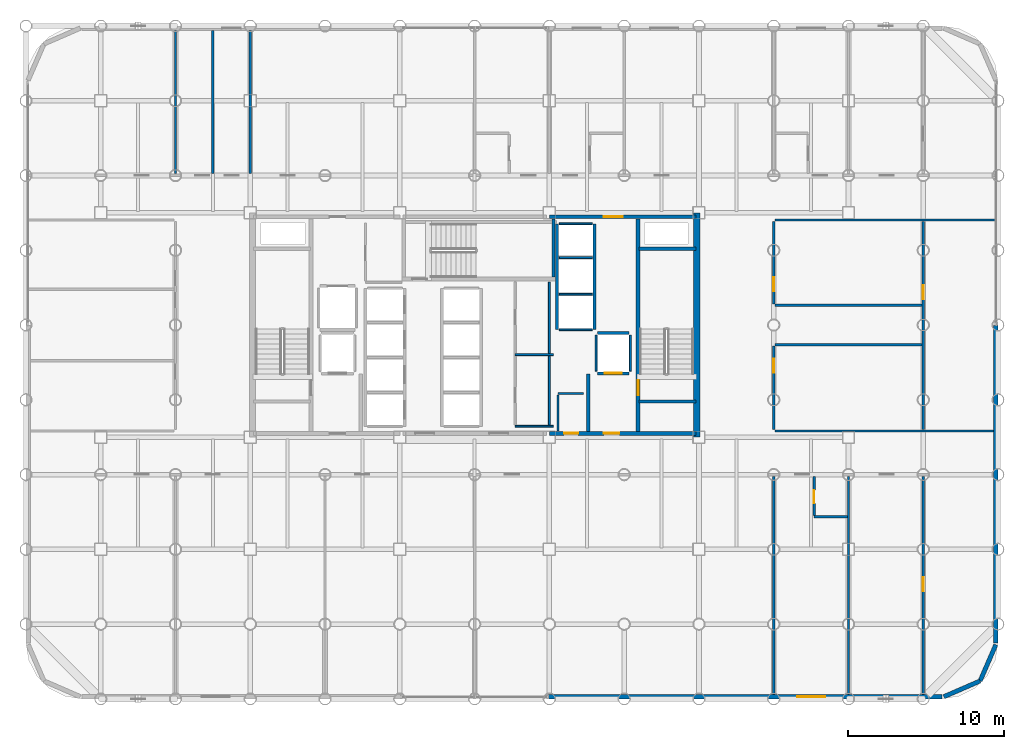
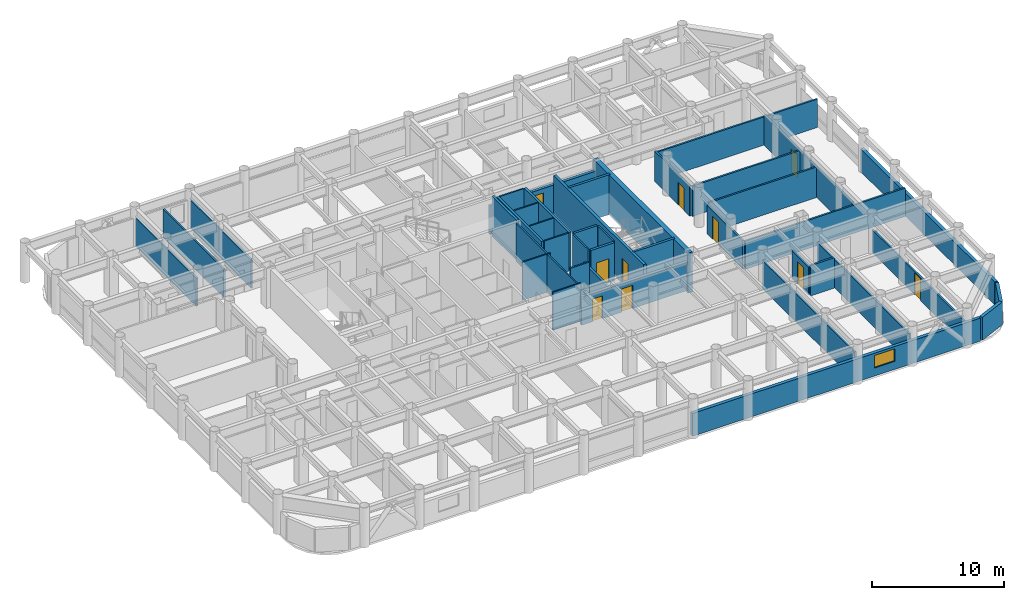
# One storey, part 16 of 19: 42 walls, 10 doors, 1 window, 11 openings.
"""IFC4 building model written with IfcOpenShell, lengths in metres."""

from ifc_helpers import new_model, si_unit, direction, frame, frame_2d, origin, place, context, subcontext, project, spatial, rectangle, extrude, material, layer, layer_set, type_object, element, fill, save


model = new_model("IFC4")

# Units and contexts
model_context = context("Model", 3, precision=1e-05, world=origin(), true_north=direction((0.0, 1.0)))
body_context = subcontext(model_context, "Body", "Model", "MODEL_VIEW")
ifc_project = project(units=[si_unit("LENGTHUNIT", "METRE"), si_unit("AREAUNIT", "SQUARE_METRE"), si_unit("VOLUMEUNIT", "CUBIC_METRE"), si_unit("PLANEANGLEUNIT", "RADIAN"), si_unit("MASSUNIT", "GRAM", prefix="KILO")], contexts=[model_context])

# Site, building, storey
site_placement = place(None, origin())
site = spatial("IfcSite", under=ifc_project, at=site_placement, CompositionType="ELEMENT")
building_placement = place(site_placement, origin())
building = spatial("IfcBuilding", under=site, at=building_placement, Name="Kallvorn Hotel Tower", CompositionType="ELEMENT")
storey_placement = place(building_placement, frame((0.0, 0.0, 67.0)))
storey = spatial("IfcBuildingStorey", under=building, at=storey_placement, Name="L15", CompositionType="ELEMENT", Elevation=67.0)

# Walls
ifc_material_1 = material(Name="Concrete C50/60", Category="concrete")
ifc_layer_1 = layer(ifc_material_1, 0.39990234375)
ifc_layer_set_1 = layer_set([ifc_layer_1], Name="WL_CORE_400")
wall_type_1 = type_object("IfcWallType", Name="WL_CORE_400", PredefinedType="SHEAR", material=ifc_layer_set_1)
wall_1_placement = place(storey_placement, frame((14.264892578125, -7.199951171875, -0.179931640625), z_axis=(0.0, 0.0, 1.0), x_axis=(0.0, 1.0, 0.0)))
element("IfcWall", 1, at=wall_1_placement, inside=storey, type_object=wall_type_1, Name="L15 Core East Shear Wall", PredefinedType="SHEAR", context=body_context, shape_type="SweptSolid", body=[
    extrude(rectangle(XDim=14.39990234375, YDim=0.39990234375, at=frame_2d((7.199951171875, 0.0))), origin(), (0.0, 0.0, 1.0), 3.699951171875),
])
ifc_material_2 = material(Name="Fire-rated double-layer acoustic gypsum drywall EI 60")
ifc_layer_2 = layer(ifc_material_2, 0.159912109375)
ifc_layer_set_2 = layer_set([ifc_layer_2], Name="WL_DEMISE_160")
wall_type_2 = type_object("IfcWallType", Name="WL_DEMISE_160", PredefinedType="PARTITIONING", material=ifc_layer_set_2)
wall_2_placement = place(storey_placement, frame((21.7900390625, -12.320068359375, 0.0), z_axis=(0.0, 0.0, 1.0), x_axis=(1.0, 0.0, 0.0)))
element("IfcWall", 2, at=wall_2_placement, inside=storey, type_object=wall_type_2, Name="L15 Suite 1501 Deluxe King Room Partition", PredefinedType="PARTITIONING", context=body_context, shape_type="SweptSolid", body=[
    extrude(rectangle(XDim=2.1298828125, YDim=0.159912109375, at=frame_2d((1.06494140625, 0.0))), origin(), (0.0, 0.0, 1.0), 2.820068359375),
])
wall_3_placement = place(storey_placement, frame((19.199951171875, -23.7099609375, 0.0), z_axis=(0.0, 0.0, 1.0), x_axis=(0.0, 1.0, 0.0)))
element("IfcWall", 3, at=wall_3_placement, inside=storey, type_object=wall_type_2, Name="L15 Suite 1501 Deluxe King Room Partition", PredefinedType="PARTITIONING", context=body_context, shape_type="SweptSolid", body=[
    extrude(rectangle(XDim=13.989990234375, YDim=0.159912109375, at=frame_2d((6.9951171875, 0.0))), origin(), (0.0, 0.0, 1.0), 2.6201171875),
])

# Wall, opening, door
wall_4_placement = place(storey_placement, frame((21.7900390625, -12.235107421875, 0.0), z_axis=(0.0, 0.0, 1.0), x_axis=(0.0, 1.0, 0.0)))
wall_4 = element("IfcWall", 4, at=wall_4_placement, inside=storey, type_object=wall_type_2, Name="L15 Suite 1501 Deluxe King Room Partition", PredefinedType="PARTITIONING", context=body_context, shape_type="SweptSolid", body=[
    extrude(rectangle(XDim=2.51513671875, YDim=0.159912109375, at=frame_2d((1.257568359375, 0.0))), origin(), (0.0, 0.0, 1.0), 2.6201171875),
])
opening_1_placement = place(wall_4_placement, frame((0.784912109375, 0.0, 0.0)))
opening_1 = element("IfcOpeningElement", 5, at=opening_1_placement, cuts=wall_4, Name="Opening BD-I", PredefinedType="OPENING", context=body_context, shape_type="SweptSolid", body=[
    extrude(rectangle(XDim=0.860107421875, YDim=2.10009765625, at=frame_2d((0.43017578125, 1.050048828125))), frame((0.0, 0.094970703125, 0.0), z_axis=(0.0, -1.0, 0.0), x_axis=(1.0, 0.0, 0.0)), (0.0, 0.0, 1.0), 0.18994140625),
])
ifc_material_3 = material(Name="Solid-core walnut veneer fire-rated timber door leaf", Category="wood")
door_type_1 = type_object("IfcDoorType", Name="DR_BATH_860x2100", OperationType="NOTDEFINED", PredefinedType="DOOR", material=ifc_material_3)
door_1_placement = place(opening_1_placement, origin())
door_1 = element("IfcDoor", 6, at=door_1_placement, inside=storey, type_object=door_type_1, Name="L15 Suite 1501 En-Suite Bathroom Door", OperationType="SINGLE_SWING_RIGHT", OverallHeight=2.10009765625, OverallWidth=0.860107421875, PredefinedType="DOOR", context=body_context, shape_type="SweptSolid", body=[
    extrude(rectangle(XDim=0.860107421875, YDim=2.10009765625, at=frame_2d((0.43017578125, 1.050048828125))), frame((0.0, 0.02490234375, 0.0), z_axis=(0.0, -1.0, 0.0), x_axis=(1.0, 0.0, 0.0)), (0.0, 0.0, 1.0), 0.050048828125),
])
fill(opening_1, door_1)

# Walls
wall_5_placement = place(storey_placement, frame((24.0, -23.7099609375, 0.0), z_axis=(0.0, 0.0, 1.0), x_axis=(0.0, 1.0, 0.0)))
element("IfcWall", 7, at=wall_5_placement, inside=storey, type_object=wall_type_2, Name="L15 Suite 1501 Deluxe King Room Partition", PredefinedType="PARTITIONING", context=body_context, shape_type="SweptSolid", body=[
    extrude(rectangle(XDim=13.989990234375, YDim=0.159912109375, at=frame_2d((6.9951171875, 0.0))), origin(), (0.0, 0.0, 1.0), 2.6201171875),
])
ifc_material_4 = material(Name="Precast basalt-clad insulated concrete wall C40/50", Category="masonry")
ifc_layer_3 = layer(ifc_material_4, 0.280029296875)
ifc_layer_set_3 = layer_set([ifc_layer_3], Name="WL_EXT_LOGGIA_280")
wall_type_3 = type_object("IfcWallType", Name="WL_EXT_LOGGIA_280", PredefinedType="SOLIDWALL", material=ifc_layer_set_3)
wall_6_placement = place(storey_placement, frame((30.120849609375, -23.85791015625, 0.0), z_axis=(0.0, 0.0, 1.0), x_axis=(0.917060872934, 0.398747232384, 0.0)))
element("IfcWall", 8, at=wall_6_placement, inside=storey, type_object=wall_type_3, Name="L15 Rounded Corner Exterior Wall SE1", PredefinedType="SOLIDWALL", context=body_context, shape_type="SweptSolid", body=[
    extrude(rectangle(XDim=2.5361328125, YDim=0.280029296875, at=frame_2d((1.26806640625, 0.0))), origin(), (0.0, 0.0, 1.0), 2.1201171875),
])
wall_7_placement = place(storey_placement, frame((32.446533203125, -22.8466796875, 0.0), z_axis=(0.0, 0.0, 1.0), x_axis=(0.398792985289, 0.917040977756, 0.0)))
element("IfcWall", 9, at=wall_7_placement, inside=storey, type_object=wall_type_3, Name="L15 Rounded Corner Exterior Wall SE2", PredefinedType="SOLIDWALL", context=body_context, shape_type="SweptSolid", body=[
    extrude(rectangle(XDim=2.536376953125, YDim=0.280029296875, at=frame_2d((1.26806640625, 0.0))), origin(), (0.0, 0.0, 1.0), 2.1201171875),
])

# Wall, opening, window
wall_8_placement = place(storey_placement, frame((4.75, -23.860107421875, 0.0), z_axis=(0.0, 0.0, 1.0), x_axis=(1.0, 0.0, 0.0)))
wall_8 = element("IfcWall", 10, at=wall_8_placement, inside=storey, type_object=wall_type_3, Name="L15 Exterior Envelope Wall EW-L15-SE", PredefinedType="SOLIDWALL", context=body_context, shape_type="SweptSolid", body=[
    extrude(rectangle(XDim=25.25, YDim=0.280029296875, at=frame_2d((12.625, 0.0))), origin(), (0.0, 0.0, 1.0), 2.1201171875),
])
opening_2_placement = place(wall_8_placement, frame((15.949951171875, 0.0, 0.75)))
opening_2 = element("IfcOpeningElement", 11, at=opening_2_placement, cuts=wall_8, Name="Opening W04A", PredefinedType="OPENING", context=body_context, shape_type="SweptSolid", body=[
    extrude(rectangle(XDim=1.800048828125, YDim=1.14990234375, at=frame_2d((0.89990234375, 0.574951171875))), frame((0.0, 0.155029296875, 0.0), z_axis=(0.0, -1.0, 0.0), x_axis=(1.0, 0.0, 0.0)), (0.0, 0.0, 1.0), 0.31005859375),
])
ifc_material_5 = material(Name="Double-glazed low-e solar-control dark glass", Category="glass")
window_type = type_object("IfcWindowType", Name="WN_HTL_1800x1150", PartitioningType="SINGLE_PANEL", PredefinedType="WINDOW", material=ifc_material_5)
window_placement = place(opening_2_placement, origin())
window = element("IfcWindow", 12, at=window_placement, inside=storey, type_object=window_type, Name="L15 Guestroom Exterior Window 02", OverallHeight=1.14990234375, OverallWidth=1.800048828125, PartitioningType="SINGLE_PANEL", PredefinedType="WINDOW", context=body_context, shape_type="SweptSolid", body=[
    extrude(rectangle(XDim=1.800048828125, YDim=1.14990234375, at=frame_2d((0.89990234375, 0.574951171875))), frame((0.0, 0.030029296875, 0.0), z_axis=(0.0, -1.0, 0.0), x_axis=(1.0, 0.0, 0.0)), (0.0, 0.0, 1.0), 0.06005859375),
])
fill(opening_2, window)

# Walls
wall_9_placement = place(storey_placement, frame((33.4599609375, -20.39990234375, 0.0), z_axis=(0.0, 0.0, 1.0), x_axis=(0.0, 1.0, 0.0)))
element("IfcWall", 13, at=wall_9_placement, inside=storey, type_object=wall_type_3, Name="L15 Exterior Envelope Wall EW-L15-ES", PredefinedType="SOLIDWALL", context=body_context, shape_type="SweptSolid", body=[
    extrude(rectangle(XDim=20.3798828125, YDim=0.280029296875, at=frame_2d((10.18994140625, 0.0))), origin(), (0.0, 0.0, 1.0), 2.1201171875),
])
ifc_material_6 = material(Name="Concrete C40/50", Category="concrete")
ifc_layer_4 = layer(ifc_material_6, 0.219970703125)
ifc_layer_set_4 = layer_set([ifc_layer_4], Name="WL_FFL_220")
wall_type_4 = type_object("IfcWallType", Name="WL_FFL_220", PredefinedType="SOLIDWALL", material=ifc_layer_set_4)
wall_10_placement = place(storey_placement, frame((7.300048828125, -6.820068359375, 0.0), z_axis=(0.0, 0.0, 1.0), x_axis=(0.0, 1.0, 0.0)))
element("IfcWall", 14, at=wall_10_placement, inside=storey, type_object=wall_type_4, Name="L15 Firefighting Lobby East Divider Wall", PredefinedType="SOLIDWALL", context=body_context, shape_type="SweptSolid", body=[
    extrude(rectangle(XDim=3.670166015625, YDim=0.219970703125, at=frame_2d((1.8349609375, 0.0))), origin(), (0.0, 0.0, 1.0), 2.6201171875),
])
ifc_material_7 = material(Name="Concrete C40/50", Category="concrete")
ifc_layer_5 = layer(ifc_material_7, 0.199951171875)
ifc_layer_set_5 = layer_set([ifc_layer_5], Name="WL_HOIST_200")
wall_type_5 = type_object("IfcWallType", Name="WL_HOIST_200", PredefinedType="SOLIDWALL", material=ifc_layer_set_5)
for number, where, z_axis, x_axis, name in (
    (15, (10.550048828125, -4.89990234375, -0.179931640625), (0.0, 0.0, 1.0), (1.0, 0.0, 0.0), "L15 Stair ST2 South Wall"),
    (16, (10.550048828125, 4.89990234375, -0.179931640625), (0.0, 0.0, 1.0), (1.0, 0.0, 0.0), "L15 Stair ST2 North Wall"),
):
    element("IfcWall", number, at=place(storey_placement, frame(where, z_axis=z_axis, x_axis=x_axis)), inside=storey, type_object=wall_type_5, Name=name, PredefinedType="SOLIDWALL", context=body_context, shape_type="SweptSolid", body=[
        extrude(rectangle(XDim=3.64990234375, YDim=0.199951171875, at=frame_2d((1.824951171875, 0.0))), origin(), (0.0, 0.0, 1.0), 3.699951171875),
    ])
wall_11_placement = place(storey_placement, frame((5.06005859375, 3.080078125, -0.179931640625), z_axis=(0.0, 0.0, 1.0), x_axis=(0.0, 1.0, 0.0)))
element("IfcWall", 17, at=wall_11_placement, inside=storey, type_object=wall_type_5, Name="L15 Stair ST3 East Wall", PredefinedType="SOLIDWALL", context=body_context, shape_type="SweptSolid", body=[
    extrude(rectangle(XDim=3.739990234375, YDim=0.199951171875, at=frame_2d((1.8701171875, 0.0))), origin(), (0.0, 0.0, 1.0), 3.699951171875),
])
for number, where, z_axis, x_axis, name in (
    (18, (7.699951171875, -0.300048828125, 0.0), (0.0, 0.0, 1.0), (0.0, 1.0, 0.0), "L15 Lift Bank OBS Landing Wall"),
    (19, (5.300048828125, -0.300048828125, 0.0), (0.0, 0.0, 1.0), (0.0, 1.0, 0.0), "L15 Lift Bank OBS Rear Shaft Wall"),
):
    element("IfcWall", number, at=place(storey_placement, frame(where, z_axis=z_axis, x_axis=x_axis)), inside=storey, type_object=wall_type_5, Name=name, PredefinedType="SOLIDWALL", context=body_context, shape_type="SweptSolid", body=[
        extrude(rectangle(XDim=6.800048828125, YDim=0.199951171875, at=frame_2d((3.39990234375, 0.0))), origin(), (0.0, 0.0, 1.0), 3.52001953125),
    ])

# Wall, opening, door
wall_12_placement = place(storey_placement, frame((7.8798828125, -3.10009765625, 0.0), z_axis=(0.0, 0.0, 1.0), x_axis=(1.0, 0.0, 0.0)))
wall_12 = element("IfcWall", 20, at=wall_12_placement, inside=storey, type_object=wall_type_5, Name="L15 FL-2 Landing Wall", PredefinedType="SOLIDWALL", context=body_context, shape_type="SweptSolid", body=[
    extrude(rectangle(XDim=2.0400390625, YDim=0.199951171875, at=frame_2d((1.02001953125, 0.0))), origin(), (0.0, 0.0, 1.0), 3.52001953125),
])
opening_3_placement = place(wall_12_placement, frame((0.469970703125, 0.0, 0.0)))
opening_3 = element("IfcOpeningElement", 21, at=opening_3_placement, cuts=wall_12, Name="Opening LD-FL-2", PredefinedType="OPENING", context=body_context, shape_type="SweptSolid", body=[
    extrude(rectangle(XDim=1.10009765625, YDim=2.199951171875, at=frame_2d((0.550048828125, 1.10009765625))), frame((0.0, 0.114990234375, 0.0), z_axis=(0.0, -1.0, 0.0), x_axis=(1.0, 0.0, 0.0)), (0.0, 0.0, 1.0), 0.22998046875),
])
ifc_material_8 = material(Name="Brushed stainless-steel automatic sliding lift landing door", Category="steel")
door_type_2 = type_object("IfcDoorType", Name="LD_PASS_1100x2200", OperationType="SLIDING_TO_LEFT", PredefinedType="DOOR", material=ifc_material_8)
door_2_placement = place(opening_3_placement, origin())
door_2 = element("IfcDoor", 22, at=door_2_placement, inside=storey, type_object=door_type_2, Name="L15 Lift Landing Sliding Door LD-FL-2", OperationType="SLIDING_TO_LEFT", OverallHeight=2.199951171875, OverallWidth=1.10009765625, PredefinedType="DOOR", context=body_context, shape_type="SweptSolid", body=[
    extrude(rectangle(XDim=1.10009765625, YDim=2.199951171875, at=frame_2d((0.550048828125, 1.10009765625))), frame((0.0, 0.02490234375, 0.0), z_axis=(0.0, -1.0, 0.0), x_axis=(1.0, 0.0, 0.0)), (0.0, 0.0, 1.0), 0.050048828125),
])
fill(opening_3, door_2)

# Walls
wall_13_placement = place(storey_placement, frame((7.8798828125, -0.5, 0.0), z_axis=(0.0, 0.0, 1.0), x_axis=(1.0, 0.0, 0.0)))
element("IfcWall", 23, at=wall_13_placement, inside=storey, type_object=wall_type_5, Name="L15 FL-2 Rear Shaft Wall", PredefinedType="SOLIDWALL", context=body_context, shape_type="SweptSolid", body=[
    extrude(rectangle(XDim=2.0400390625, YDim=0.199951171875, at=frame_2d((1.02001953125, 0.0))), origin(), (0.0, 0.0, 1.0), 3.52001953125),
])
ifc_material_9 = material(Name="Fire-rated double-layer acoustic gypsum drywall EI 60")
ifc_layer_6 = layer(ifc_material_9, 0.1201171875)
ifc_layer_set_6 = layer_set([ifc_layer_6], Name="WL_INT_120")
wall_type_6 = type_object("IfcWallType", Name="WL_INT_120", PredefinedType="PARTITIONING", material=ifc_layer_set_6)
for number, where, z_axis, x_axis, name in (
    (24, (5.43994140625, -0.300048828125, 0.0), (0.0, 0.0, 1.0), (1.0, 0.0, 0.0), "L15 Lift Bank OBS South Closure Wall"),
    (25, (5.43994140625, 1.97509765625, 0.0), (0.0, 0.0, 1.0), (1.0, 0.0, 0.0), "L15 OB-01 Hoistway Divider"),
    (26, (5.43994140625, 4.324951171875, 0.0), (0.0, 0.0, 1.0), (1.0, 0.0, 0.0), "L15 OB-02 Hoistway Divider"),
    (27, (5.43994140625, 6.5, 0.0), (0.0, 0.0, 1.0), (1.0, 0.0, 0.0), "L15 OB-03 Hoistway Divider"),
):
    element("IfcWall", number, at=place(storey_placement, frame(where, z_axis=z_axis, x_axis=x_axis)), inside=storey, type_object=wall_type_6, Name=name, PredefinedType="PARTITIONING", context=body_context, shape_type="SweptSolid", body=[
        extrude(rectangle(XDim=2.1201171875, YDim=0.1201171875, at=frame_2d((1.06005859375, 0.0))), origin(), (0.0, 0.0, 1.0), 3.52001953125),
    ])
for number, where, z_axis, x_axis, name in (
    (28, (7.800048828125, -2.9599609375, 0.0), (0.0, 0.0, 1.0), (0.0, 1.0, 0.0), "L15 FL-2 West Shaft Wall"),
    (29, (10.0, -2.9599609375, 0.0), (0.0, 0.0, 1.0), (0.0, 1.0, 0.0), "L15 FL-2 East Shaft Wall"),
):
    element("IfcWall", number, at=place(storey_placement, frame(where, z_axis=z_axis, x_axis=x_axis)), inside=storey, type_object=wall_type_6, Name=name, PredefinedType="PARTITIONING", context=body_context, shape_type="SweptSolid", body=[
        extrude(rectangle(XDim=2.320068359375, YDim=0.1201171875, at=frame_2d((1.16015625, 0.0))), origin(), (0.0, 0.0, 1.0), 3.52001953125),
    ])
for number, where, z_axis, x_axis, name in (
    (30, (2.60009765625, -6.5, 0.0), (0.0, 0.0, 1.0), (1.0, 0.0, 0.0), "L15 East Core Amenities and Minibar Store Partition"),
    (31, (2.60009765625, -1.89990234375, 0.0), (0.0, 0.0, 1.0), (1.0, 0.0, 0.0), "L15 East Core Amenities and Minibar Store Partition"),
):
    element("IfcWall", number, at=place(storey_placement, frame(where, z_axis=z_axis, x_axis=x_axis)), inside=storey, type_object=wall_type_6, Name=name, PredefinedType="PARTITIONING", context=body_context, shape_type="SweptSolid", body=[
        extrude(rectangle(XDim=2.449951171875, YDim=0.1201171875, at=frame_2d((1.22509765625, 0.0))), origin(), (0.0, 0.0, 1.0), 3.52001953125),
    ])
wall_14_placement = place(storey_placement, frame((4.800048828125, -6.4150390625, 0.0), z_axis=(0.0, 0.0, 1.0), x_axis=(0.0, 1.0, 0.0)))
element("IfcWall", 32, at=wall_14_placement, inside=storey, type_object=wall_type_6, Name="L15 East Core Amenities and Minibar Store Partition", PredefinedType="PARTITIONING", context=body_context, shape_type="SweptSolid", body=[
    extrude(rectangle(XDim=9.1650390625, YDim=0.1201171875, at=frame_2d((4.58251953125, 0.0))), origin(), (0.0, 0.0, 1.0), 3.52001953125),
])
ifc_material_10 = material(Name="Fire-rated double-layer acoustic gypsum drywall EI 60")
ifc_layer_7 = layer(ifc_material_10, 0.14990234375)
ifc_layer_set_7 = layer_set([ifc_layer_7], Name="WL_PART_150")
wall_type_7 = type_object("IfcWallType", Name="WL_PART_150", PredefinedType="PARTITIONING", material=ifc_layer_set_7)
wall_15_placement = place(storey_placement, frame((19.280029296875, -6.800048828125, 0.0), z_axis=(0.0, 0.0, 1.0), x_axis=(1.0, 0.0, 0.0)))
element("IfcWall", 33, at=wall_15_placement, inside=storey, type_object=wall_type_7, Name="L15 L15 East Inner Club Bar Partition", PredefinedType="PARTITIONING", context=body_context, shape_type="SweptSolid", body=[
    extrude(rectangle(XDim=14.030029296875, YDim=0.14990234375, at=frame_2d((7.01513671875, 0.0))), origin(), (0.0, 0.0, 1.0), 2.6201171875),
])
for number, where, z_axis, x_axis, name in (
    (34, (19.280029296875, -1.260009765625, 0.0), (0.0, 0.0, 1.0), (1.0, 0.0, 0.0), "L15 L15 East Inner Club Bar Partition"),
    (35, (19.280029296875, 1.260009765625, 0.0), (0.0, 0.0, 1.0), (1.0, 0.0, 0.0), "L15 L15 East Inner Screening Salon Partition"),
):
    element("IfcWall", number, at=place(storey_placement, frame(where, z_axis=z_axis, x_axis=x_axis)), inside=storey, type_object=wall_type_7, Name=name, PredefinedType="PARTITIONING", context=body_context, shape_type="SweptSolid", body=[
        extrude(rectangle(XDim=9.43994140625, YDim=0.14990234375, at=frame_2d((4.719970703125, 0.0))), origin(), (0.0, 0.0, 1.0), 2.820068359375),
    ])
wall_16_placement = place(storey_placement, frame((19.280029296875, 6.737548828125, 0.0), z_axis=(0.0, 0.0, 1.0), x_axis=(1.0, 0.0, 0.0)))
element("IfcWall", 36, at=wall_16_placement, inside=storey, type_object=wall_type_7, Name="L15 L15 East Inner Screening Salon Partition", PredefinedType="PARTITIONING", context=body_context, shape_type="SweptSolid", body=[
    extrude(rectangle(XDim=14.14990234375, YDim=0.14990234375, at=frame_2d((7.074951171875, 0.0))), origin(), (0.0, 0.0, 1.0), 2.6201171875),
])
for number, where, z_axis, x_axis, name in (
    (37, (-19.199951171875, 9.719970703125, 0.0), (0.0, 0.0, 1.0), (0.0, 1.0, 0.0), "L15 Housekeeping and Linen Room Partition"),
    (38, (-16.800048828125, 9.719970703125, 0.0), (0.0, 0.0, 1.0), (0.0, 1.0, 0.0), "L15 Guest Tea and Refreshment Bar Partition"),
    (39, (-14.39990234375, 9.719970703125, 0.0), (0.0, 0.0, 1.0), (0.0, 1.0, 0.0), "L15 Guest Tea and Refreshment Bar Partition"),
):
    element("IfcWall", number, at=place(storey_placement, frame(where, z_axis=z_axis, x_axis=x_axis)), inside=storey, type_object=wall_type_7, Name=name, PredefinedType="PARTITIONING", context=body_context, shape_type="SweptSolid", body=[
        extrude(rectangle(XDim=9.18994140625, YDim=0.14990234375, at=frame_2d((4.594970703125, 0.0))), origin(), (0.0, 0.0, 1.0), 2.6201171875),
    ])

# Wall, opening, door
wall_17_placement = place(storey_placement, frame((19.199951171875, -6.715087890625, 0.0), z_axis=(0.0, 0.0, 1.0), x_axis=(0.0, 1.0, 0.0)))
wall_17 = element("IfcWall", 40, at=wall_17_placement, inside=storey, type_object=wall_type_7, Name="L15 L15 East Inner Club Bar Partition", PredefinedType="PARTITIONING", context=body_context, shape_type="SweptSolid", body=[
    extrude(rectangle(XDim=5.3701171875, YDim=0.14990234375, at=frame_2d((2.68505859375, 0.0))), origin(), (0.0, 0.0, 1.0), 2.6201171875),
])
opening_4_placement = place(wall_17_placement, frame((3.66015625, 0.0, 0.0)))
opening_4 = element("IfcOpeningElement", 41, at=opening_4_placement, cuts=wall_17, Name="Opening SVD1", PredefinedType="OPENING", context=body_context, shape_type="SweptSolid", body=[
    extrude(rectangle(XDim=0.89990234375, YDim=2.10009765625, at=frame_2d((0.449951171875, 1.050048828125))), frame((0.0, 0.08984375, 0.0), z_axis=(0.0, -1.0, 0.0), x_axis=(1.0, 0.0, 0.0)), (0.0, 0.0, 1.0), 0.179931640625),
])
ifc_material_11 = material(Name="Galvanised painted steel fire-rated door assembly", Category="steel")
door_type_3 = type_object("IfcDoorType", Name="DR_SERV_900x2100", OperationType="NOTDEFINED", PredefinedType="DOOR", material=ifc_material_11)
door_3_placement = place(opening_4_placement, origin())
door_3 = element("IfcDoor", 42, at=door_3_placement, inside=storey, type_object=door_type_3, Name="L15 L15 East Inner Club Bar Door", OperationType="SINGLE_SWING_LEFT", OverallHeight=2.10009765625, OverallWidth=0.89990234375, PredefinedType="DOOR", context=body_context, shape_type="SweptSolid", body=[
    extrude(rectangle(XDim=0.89990234375, YDim=2.10009765625, at=frame_2d((0.449951171875, 1.050048828125))), frame((0.0, 0.02490234375, 0.0), z_axis=(0.0, -1.0, 0.0), x_axis=(1.0, 0.0, 0.0)), (0.0, 0.0, 1.0), 0.050048828125),
])
fill(opening_4, door_3)

wall_18_placement = place(storey_placement, frame((19.199951171875, 1.344970703125, 0.0), z_axis=(0.0, 0.0, 1.0), x_axis=(0.0, 1.0, 0.0)))
wall_18 = element("IfcWall", 43, at=wall_18_placement, inside=storey, type_object=wall_type_7, Name="L15 L15 East Inner Screening Salon Partition", PredefinedType="PARTITIONING", context=body_context, shape_type="SweptSolid", body=[
    extrude(rectangle(XDim=5.3076171875, YDim=0.14990234375, at=frame_2d((2.65380859375, 0.0))), origin(), (0.0, 0.0, 1.0), 2.820068359375),
])
opening_5_placement = place(wall_18_placement, frame((0.815185546875, 0.0, 0.0)))
opening_5 = element("IfcOpeningElement", 44, at=opening_5_placement, cuts=wall_18, Name="Opening SVD1", PredefinedType="OPENING", context=body_context, shape_type="SweptSolid", body=[
    extrude(rectangle(XDim=0.89990234375, YDim=2.10009765625, at=frame_2d((0.449951171875, 1.050048828125))), frame((0.0, 0.08984375, 0.0), z_axis=(0.0, -1.0, 0.0), x_axis=(1.0, 0.0, 0.0)), (0.0, 0.0, 1.0), 0.179931640625),
])
door_4_placement = place(opening_5_placement, origin())
door_4 = element("IfcDoor", 45, at=door_4_placement, inside=storey, type_object=door_type_3, Name="L15 L15 East Inner Screening Salon Door", OperationType="SINGLE_SWING_RIGHT", OverallHeight=2.10009765625, OverallWidth=0.89990234375, PredefinedType="DOOR", context=body_context, shape_type="SweptSolid", body=[
    extrude(rectangle(XDim=0.89990234375, YDim=2.10009765625, at=frame_2d((0.449951171875, 1.050048828125))), frame((0.0, 0.02490234375, 0.0), z_axis=(0.0, -1.0, 0.0), x_axis=(1.0, 0.0, 0.0)), (0.0, 0.0, 1.0), 0.050048828125),
])
fill(opening_5, door_4)

wall_19_placement = place(storey_placement, frame((28.800048828125, -23.7099609375, 0.0), z_axis=(0.0, 0.0, 1.0), x_axis=(0.0, 1.0, 0.0)))
wall_19 = element("IfcWall", 46, at=wall_19_placement, inside=storey, type_object=wall_type_7, Name="L15 L15 South-East Sommelier Bar A Partition", PredefinedType="PARTITIONING", context=body_context, shape_type="SweptSolid", body=[
    extrude(rectangle(XDim=13.989990234375, YDim=0.14990234375, at=frame_2d((6.9951171875, 0.0))), origin(), (0.0, 0.0, 1.0), 2.1201171875),
])
opening_6_placement = place(wall_19_placement, frame((6.625, 0.0, 0.0)))
opening_6 = element("IfcOpeningElement", 47, at=opening_6_placement, cuts=wall_19, Name="Opening SVD1A", PredefinedType="OPENING", context=body_context, shape_type="SweptSolid", body=[
    extrude(rectangle(XDim=0.89990234375, YDim=2.02001953125, at=frame_2d((0.449951171875, 1.010009765625))), frame((0.0, 0.08984375, 0.0), z_axis=(0.0, -1.0, 0.0), x_axis=(1.0, 0.0, 0.0)), (0.0, 0.0, 1.0), 0.179931640625),
])
ifc_material_12 = material(Name="Galvanised painted steel fire-rated door assembly", Category="steel")
door_type_4 = type_object("IfcDoorType", Name="DR_SERV_900x2020", OperationType="NOTDEFINED", PredefinedType="DOOR", material=ifc_material_12)
door_5_placement = place(opening_6_placement, origin())
door_5 = element("IfcDoor", 48, at=door_5_placement, inside=storey, type_object=door_type_4, Name="L15 L15 South-East Sommelier Bar B Door", OperationType="SINGLE_SWING_RIGHT", OverallHeight=2.02001953125, OverallWidth=0.89990234375, PredefinedType="DOOR", context=body_context, shape_type="SweptSolid", body=[
    extrude(rectangle(XDim=0.89990234375, YDim=2.02001953125, at=frame_2d((0.449951171875, 1.010009765625))), frame((0.0, 0.02490234375, 0.0), z_axis=(0.0, -1.0, 0.0), x_axis=(1.0, 0.0, 0.0)), (0.0, 0.0, 1.0), 0.050048828125),
])
fill(opening_6, door_5)

wall_20_placement = place(storey_placement, frame((28.800048828125, -6.715087890625, 0.0), z_axis=(0.0, 0.0, 1.0), x_axis=(0.0, 1.0, 0.0)))
wall_20 = element("IfcWall", 49, at=wall_20_placement, inside=storey, type_object=wall_type_7, Name="L15 L15 East Inner Club Bar Partition", PredefinedType="PARTITIONING", context=body_context, shape_type="SweptSolid", body=[
    extrude(rectangle(XDim=13.36767578125, YDim=0.14990234375, at=frame_2d((6.683837890625, 0.0))), origin(), (0.0, 0.0, 1.0), 2.820068359375),
])
opening_7_placement = place(wall_20_placement, frame((8.370849609375, 0.0, 0.0)))
opening_7 = element("IfcOpeningElement", 50, at=opening_7_placement, cuts=wall_20, Name="Opening SVD1", PredefinedType="OPENING", context=body_context, shape_type="SweptSolid", body=[
    extrude(rectangle(XDim=0.89990234375, YDim=2.10009765625, at=frame_2d((0.449951171875, 1.050048828125))), frame((0.0, 0.08984375, 0.0), z_axis=(0.0, -1.0, 0.0), x_axis=(1.0, 0.0, 0.0)), (0.0, 0.0, 1.0), 0.179931640625),
])
door_6_placement = place(opening_7_placement, origin())
door_6 = element("IfcDoor", 51, at=door_6_placement, inside=storey, type_object=door_type_3, Name="L15 L15 E Cordillera Panorama Dining Salon Door", OperationType="SINGLE_SWING_RIGHT", OverallHeight=2.10009765625, OverallWidth=0.89990234375, PredefinedType="DOOR", context=body_context, shape_type="SweptSolid", body=[
    extrude(rectangle(XDim=0.89990234375, YDim=2.10009765625, at=frame_2d((0.449951171875, 1.050048828125))), frame((0.0, 0.02490234375, 0.0), z_axis=(0.0, -1.0, 0.0), x_axis=(1.0, 0.0, 0.0)), (0.0, 0.0, 1.0), 0.050048828125),
])
fill(opening_7, door_6)

# Walls
ifc_material_13 = material(Name="Moisture-resistant acoustic plumbing chase wall EI 60")
ifc_layer_8 = layer(ifc_material_13, 0.139892578125)
ifc_layer_set_8 = layer_set([ifc_layer_8], Name="WL_PLUMB_140")
wall_type_8 = type_object("IfcWallType", Name="WL_PLUMB_140", PredefinedType="PLUMBINGWALL", material=ifc_layer_set_8)
wall_21_placement = place(storey_placement, frame((5.35009765625, -4.39990234375, 0.0), z_axis=(0.0, 0.0, 1.0), x_axis=(1.0, 0.0, 0.0)))
element("IfcWall", 52, at=wall_21_placement, inside=storey, type_object=wall_type_8, Name="L15 Core Staff Restroom WC Partition", PredefinedType="PLUMBINGWALL", context=body_context, shape_type="SweptSolid", body=[
    extrude(rectangle(XDim=1.64990234375, YDim=0.139892578125, at=frame_2d((0.824951171875, 0.0))), origin(), (0.0, 0.0, 1.0), 3.52001953125),
])
wall_22_placement = place(storey_placement, frame((5.35009765625, -6.800048828125, 0.0), z_axis=(0.0, 0.0, 1.0), x_axis=(0.0, 1.0, 0.0)))
element("IfcWall", 53, at=wall_22_placement, inside=storey, type_object=wall_type_8, Name="L15 Core Staff Restroom WC Partition", PredefinedType="PLUMBINGWALL", context=body_context, shape_type="SweptSolid", body=[
    extrude(rectangle(XDim=2.31494140625, YDim=0.139892578125, at=frame_2d((1.157470703125, 0.0))), origin(), (0.0, 0.0, 1.0), 2.6201171875),
])

# Wall, openings, doors
ifc_material_14 = material(Name="Concrete C40/50", Category="concrete")
ifc_layer_9 = layer(ifc_material_14, 0.25)
ifc_layer_set_9 = layer_set([ifc_layer_9], Name="WL_SHAFT_250")
wall_type_9 = type_object("IfcWallType", Name="WL_SHAFT_250", PredefinedType="SOLIDWALL", material=ifc_layer_set_9)
wall_23_placement = place(storey_placement, frame((4.800048828125, -6.949951171875, 0.0), z_axis=(0.0, 0.0, 1.0), x_axis=(1.0, 0.0, 0.0)))
wall_23 = element("IfcWall", 54, at=wall_23_placement, inside=storey, type_object=wall_type_9, Name="L15 Core South-East Wall", PredefinedType="SOLIDWALL", context=body_context, shape_type="SweptSolid", body=[
    extrude(rectangle(XDim=9.39990234375, YDim=0.25, at=frame_2d((4.699951171875, 0.0))), origin(), (0.0, 0.0, 1.0), 2.6201171875),
])
opening_8_placement = place(wall_23_placement, frame((3.5, 0.0, 0.0)))
opening_8 = element("IfcOpeningElement", 55, at=opening_8_placement, cuts=wall_23, Name="Opening FD1", PredefinedType="OPENING", context=body_context, shape_type="SweptSolid", body=[
    extrude(rectangle(XDim=1.0, YDim=2.14990234375, at=frame_2d((0.5, 1.074951171875))), frame((0.0, 0.139892578125, 0.0), z_axis=(0.0, -1.0, 0.0), x_axis=(1.0, 0.0, 0.0)), (0.0, 0.0, 1.0), 0.280029296875),
])
opening_9_placement = place(wall_23_placement, frame((0.949951171875, 0.0, 0.0)))
opening_9 = element("IfcOpeningElement", 56, at=opening_9_placement, cuts=wall_23, Name="Opening SVD1", PredefinedType="OPENING", context=body_context, shape_type="SweptSolid", body=[
    extrude(rectangle(XDim=0.89990234375, YDim=2.10009765625, at=frame_2d((0.449951171875, 1.050048828125))), frame((0.0, 0.139892578125, 0.0), z_axis=(0.0, -1.0, 0.0), x_axis=(1.0, 0.0, 0.0)), (0.0, 0.0, 1.0), 0.280029296875),
])
ifc_material_15 = material(Name="Galvanised painted steel fire-rated door assembly", Category="steel")
door_type_5 = type_object("IfcDoorType", Name="DR_FFL_1000x2150", OperationType="NOTDEFINED", PredefinedType="DOOR", material=ifc_material_15)
door_7_placement = place(opening_8_placement, origin())
door_7 = element("IfcDoor", 57, at=door_7_placement, inside=storey, type_object=door_type_5, Name="L15 Firefighting Lobby East Door", OperationType="SINGLE_SWING_RIGHT", OverallHeight=2.14990234375, OverallWidth=1.0, PredefinedType="DOOR", context=body_context, shape_type="SweptSolid", body=[
    extrude(rectangle(XDim=1.0, YDim=2.14990234375, at=frame_2d((0.5, 1.074951171875))), frame((0.0, 0.02490234375, 0.0), z_axis=(0.0, -1.0, 0.0), x_axis=(1.0, 0.0, 0.0)), (0.0, 0.0, 1.0), 0.050048828125),
])
fill(opening_8, door_7)
door_8_placement = place(opening_9_placement, origin())
door_8 = element("IfcDoor", 58, at=door_8_placement, inside=storey, type_object=door_type_3, Name="L15 Core Staff Restroom WC Door", OperationType="SINGLE_SWING_RIGHT", OverallHeight=2.10009765625, OverallWidth=0.89990234375, PredefinedType="DOOR", context=body_context, shape_type="SweptSolid", body=[
    extrude(rectangle(XDim=0.89990234375, YDim=2.10009765625, at=frame_2d((0.449951171875, 1.050048828125))), frame((0.0, 0.02490234375, 0.0), z_axis=(0.0, -1.0, 0.0), x_axis=(1.0, 0.0, 0.0)), (0.0, 0.0, 1.0), 0.050048828125),
])
fill(opening_9, door_8)

# Wall, opening, door
wall_24_placement = place(storey_placement, frame((4.800048828125, 6.949951171875, 0.0), z_axis=(0.0, 0.0, 1.0), x_axis=(1.0, 0.0, 0.0)))
wall_24 = element("IfcWall", 59, at=wall_24_placement, inside=storey, type_object=wall_type_9, Name="L15 Core North-East Wall", PredefinedType="SOLIDWALL", context=body_context, shape_type="SweptSolid", body=[
    extrude(rectangle(XDim=9.39990234375, YDim=0.25, at=frame_2d((4.699951171875, 0.0))), origin(), (0.0, 0.0, 1.0), 2.6201171875),
])
opening_10_placement = place(wall_24_placement, frame((3.5, 0.0, 0.0)))
opening_10 = element("IfcOpeningElement", 60, at=opening_10_placement, cuts=wall_24, Name="Opening FD2", PredefinedType="OPENING", context=body_context, shape_type="SweptSolid", body=[
    extrude(rectangle(XDim=1.199951171875, YDim=2.199951171875, at=frame_2d((0.60009765625, 1.10009765625))), frame((0.0, 0.139892578125, 0.0), z_axis=(0.0, -1.0, 0.0), x_axis=(1.0, 0.0, 0.0)), (0.0, 0.0, 1.0), 0.280029296875),
])
ifc_material_16 = material(Name="Galvanised painted steel fire-rated door assembly", Category="steel")
door_type_6 = type_object("IfcDoorType", Name="DR_LOBBY_1200x2200", OperationType="DOUBLE_DOOR_SINGLE_SWING", PredefinedType="DOOR", material=ifc_material_16)
door_9_placement = place(opening_10_placement, origin())
door_9 = element("IfcDoor", 61, at=door_9_placement, inside=storey, type_object=door_type_6, Name="L15 Observatory Shuttle Lobby Door", OperationType="DOUBLE_DOOR_SINGLE_SWING", OverallHeight=2.199951171875, OverallWidth=1.199951171875, PredefinedType="DOOR", context=body_context, shape_type="SweptSolid", body=[
    extrude(rectangle(XDim=1.199951171875, YDim=2.199951171875, at=frame_2d((0.60009765625, 1.10009765625))), frame((0.0, 0.02490234375, 0.0), z_axis=(0.0, -1.0, 0.0), x_axis=(1.0, 0.0, 0.0)), (0.0, 0.0, 1.0), 0.050048828125),
])
fill(opening_10, door_9)

wall_25_placement = place(storey_placement, frame((10.5, -6.820068359375, -0.179931640625), z_axis=(0.0, 0.0, 1.0), x_axis=(0.0, 1.0, 0.0)))
wall_25 = element("IfcWall", 62, at=wall_25_placement, inside=storey, type_object=wall_type_9, Name="L15 Stair ST2 Shaft Wall", PredefinedType="SOLIDWALL", context=body_context, shape_type="SweptSolid", body=[
    extrude(rectangle(XDim=13.64013671875, YDim=0.25, at=frame_2d((6.820068359375, 0.0))), origin(), (0.0, 0.0, 1.0), 3.699951171875),
])
opening_11_placement = place(wall_25_placement, frame((2.320068359375, 0.0, 0.179931640625)))
opening_11 = element("IfcOpeningElement", 63, at=opening_11_placement, cuts=wall_25, Name="Opening SD1", PredefinedType="OPENING", context=body_context, shape_type="SweptSolid", body=[
    extrude(rectangle(XDim=0.949951171875, YDim=2.14990234375, at=frame_2d((0.47509765625, 1.074951171875))), frame((0.0, 0.139892578125, 0.0), z_axis=(0.0, -1.0, 0.0), x_axis=(1.0, 0.0, 0.0)), (0.0, 0.0, 1.0), 0.280029296875),
])
ifc_material_17 = material(Name="Galvanised painted steel fire-rated door assembly", Category="steel")
door_type_7 = type_object("IfcDoorType", Name="DR_STAIR_950x2150", OperationType="NOTDEFINED", PredefinedType="DOOR", material=ifc_material_17)
door_10_placement = place(opening_11_placement, origin())
door_10 = element("IfcDoor", 64, at=door_10_placement, inside=storey, type_object=door_type_7, Name="L15 Exit Stair ST2 Fire Door", OperationType="SINGLE_SWING_RIGHT", OverallHeight=2.14990234375, OverallWidth=0.949951171875, PredefinedType="DOOR", context=body_context, shape_type="SweptSolid", body=[
    extrude(rectangle(XDim=0.949951171875, YDim=2.14990234375, at=frame_2d((0.47509765625, 1.074951171875))), frame((0.0, 0.02490234375, 0.0), z_axis=(0.0, -1.0, 0.0), x_axis=(1.0, 0.0, 0.0)), (0.0, 0.0, 1.0), 0.050048828125),
])
fill(opening_11, door_10)

save(model, "model.ifc")
